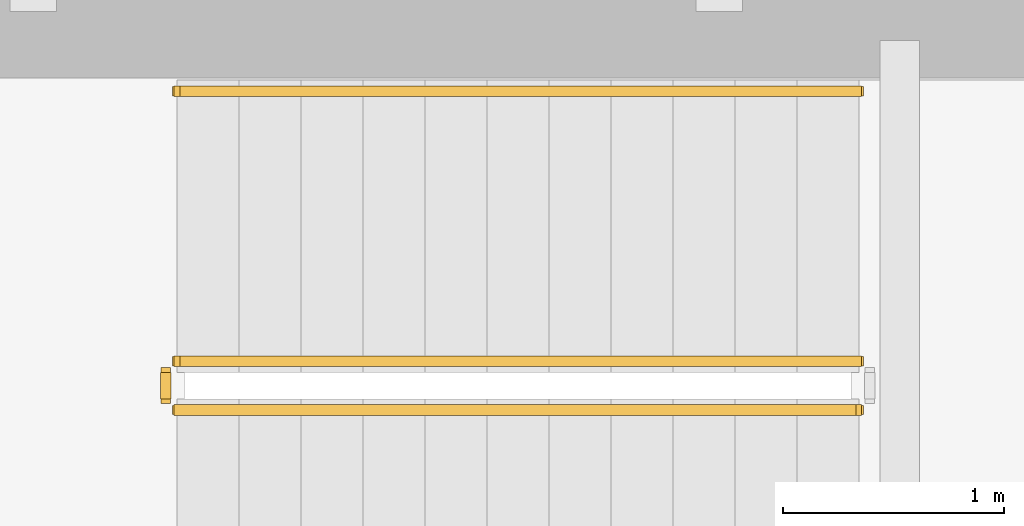
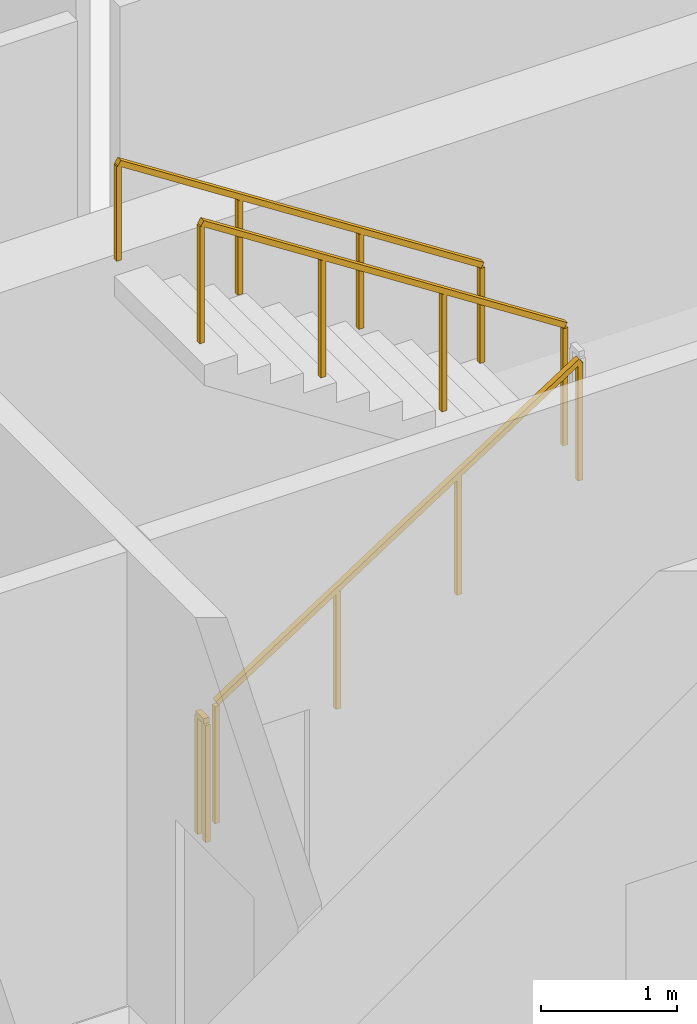
# One storey, part 36 of 38: 4 railings.
"""IFC4 building model written with IfcOpenShell, lengths in metres."""

from ifc_helpers import new_model, si_unit, direction, frame, origin, origin_2d, place, context, subcontext, project, spatial, rectangle, extrude, material, type_object, element, save


model = new_model("IFC4")

# Units and contexts
model_context = context("Model", 3, precision=1e-05, world=origin(), true_north=direction((0.0, 1.0)))
body_context = subcontext(model_context, "Body", "Model", "MODEL_VIEW")
ifc_project = project(units=[si_unit("LENGTHUNIT", "METRE"), si_unit("AREAUNIT", "SQUARE_METRE"), si_unit("VOLUMEUNIT", "CUBIC_METRE"), si_unit("PLANEANGLEUNIT", "RADIAN"), si_unit("MASSUNIT", "GRAM", prefix="KILO")], contexts=[model_context])

# Site, building, storey
site_placement = place(None, origin())
site = spatial("IfcSite", under=ifc_project, at=site_placement, CompositionType="ELEMENT")
building_placement = place(site_placement, origin())
building = spatial("IfcBuilding", under=site, at=building_placement, Name="Qhalaya Broadcast Tower", CompositionType="ELEMENT")
storey_placement = place(building_placement, frame((0.0, 0.0, 53.550048828125)))
storey = spatial("IfcBuildingStorey", under=building, at=storey_placement, Name="L15", CompositionType="ELEMENT", Elevation=53.550048828125)

# Railings
ifc_material = material(Name="Powder-Coated Galvanised Steel", Category="steel")
railing_type_1 = type_object("IfcRailingType", Name="Stair Wall Handrail 900", PredefinedType="HANDRAIL", material=ifc_material)
railing_1_placement = place(storey_placement, frame((6.830078125, 9.590087890625, 2.356201171875)))
element("IfcRailing", 1, at=railing_1_placement, inside=storey, type_object=railing_type_1, Name="L15 ST-1 Stair Handrail 2", PredefinedType="HANDRAIL", context=body_context, shape_type="SweptSolid", body=[
    extrude(rectangle(XDim=0.048095703125, YDim=0.048095703125, at=origin_2d()), frame((0.0, 0.0, 0.8759765625), z_axis=(-0.839488025565, 0.0, 0.543378187759), x_axis=(0.0, -1.0, 0.0)), (0.0, 0.0, 1.0), 3.6689453125),
    extrude(rectangle(XDim=0.0419921875, YDim=0.0419921875, at=origin_2d()), origin(), (0.0, 0.0, 1.0), 0.849853515625),
    extrude(rectangle(XDim=0.0419921875, YDim=0.0419921875, at=origin_2d()), frame((-1.026611328125, 0.0, 0.66455078125)), (0.0, 0.0, 1.0), 0.849853515625),
    extrude(rectangle(XDim=0.0419921875, YDim=0.0419921875, at=origin_2d()), frame((-2.053466796875, 0.0, 1.3291015625)), (0.0, 0.0, 1.0), 0.849853515625),
    extrude(rectangle(XDim=0.0419921875, YDim=0.0419921875, at=origin_2d()), frame((-3.080078125, 0.0, 1.99365234375)), (0.0, 0.0, 1.0), 0.849853515625),
])
railing_type_2 = type_object("IfcRailingType", Name="Stair Well & Landing Guardrail 1100", PredefinedType="GUARDRAIL", material=ifc_material)
railing_2_placement = place(storey_placement, frame((3.75, 8.14990234375, 0.18115234375)))
element("IfcRailing", 2, at=railing_2_placement, inside=storey, type_object=railing_type_2, Name="L15 ST-1 Stair Guard 1", PredefinedType="GUARDRAIL", context=body_context, shape_type="SweptSolid", body=[
    extrude(rectangle(XDim=0.048095703125, YDim=0.048095703125, at=origin_2d()), frame((0.0, 0.0, 1.076171875), z_axis=(0.8394576718, 0.0, 0.543425079708), x_axis=(0.0, 1.0, 0.0)), (0.0, 0.0, 1.0), 3.669189453125),
    extrude(rectangle(XDim=0.0419921875, YDim=0.0419921875, at=origin_2d()), origin(), (0.0, 0.0, 1.0), 1.050048828125),
    extrude(rectangle(XDim=0.0419921875, YDim=0.0419921875, at=origin_2d()), frame((1.026611328125, 0.0, 0.66455078125)), (0.0, 0.0, 1.0), 1.050048828125),
    extrude(rectangle(XDim=0.0419921875, YDim=0.0419921875, at=origin_2d()), frame((2.053466796875, 0.0, 1.329345703125)), (0.0, 0.0, 1.0), 1.050048828125),
    extrude(rectangle(XDim=0.0419921875, YDim=0.0419921875, at=origin_2d()), frame((3.080078125, 0.0, 1.993896484375)), (0.0, 0.0, 1.0), 1.050048828125),
])
railing_3_placement = place(storey_placement, frame((6.830078125, 8.3701171875, 2.356201171875)))
element("IfcRailing", 3, at=railing_3_placement, inside=storey, type_object=railing_type_2, Name="L15 ST-1 Stair Guard 3", PredefinedType="GUARDRAIL", context=body_context, shape_type="SweptSolid", body=[
    extrude(rectangle(XDim=0.048095703125, YDim=0.048095703125, at=origin_2d()), frame((0.0, 0.0, 1.076171875), z_axis=(-0.839488025565, 0.0, 0.543378187759), x_axis=(0.0, -1.0, 0.0)), (0.0, 0.0, 1.0), 3.6689453125),
    extrude(rectangle(XDim=0.0419921875, YDim=0.0419921875, at=origin_2d()), origin(), (0.0, 0.0, 1.0), 1.050048828125),
    extrude(rectangle(XDim=0.0419921875, YDim=0.0419921875, at=origin_2d()), frame((-1.026611328125, 0.0, 0.66455078125)), (0.0, 0.0, 1.0), 1.050048828125),
    extrude(rectangle(XDim=0.0419921875, YDim=0.0419921875, at=origin_2d()), frame((-2.053466796875, 0.0, 1.3291015625)), (0.0, 0.0, 1.0), 1.050048828125),
    extrude(rectangle(XDim=0.0419921875, YDim=0.0419921875, at=origin_2d()), frame((-3.080078125, 0.0, 1.99365234375)), (0.0, 0.0, 1.0), 1.050048828125),
])
railing_4_placement = place(storey_placement, frame((3.699951171875, 8.199951171875, 0.0)))
element("IfcRailing", 4, at=railing_4_placement, inside=storey, type_object=railing_type_2, Name="L15 ST-1 Stair Guard 4", PredefinedType="GUARDRAIL", context=body_context, shape_type="SweptSolid", body=[
    extrude(rectangle(XDim=0.048095703125, YDim=0.048095703125, at=origin_2d()), frame((0.0, 0.0, 1.076171875), z_axis=(0.0, 1.0, 0.0), x_axis=(-1.0, 0.0, 0.0)), (0.0, 0.0, 1.0), 0.1201171875),
    extrude(rectangle(XDim=0.0419921875, YDim=0.0419921875, at=origin_2d()), origin(), (0.0, 0.0, 1.0), 1.050048828125),
    extrude(rectangle(XDim=0.0419921875, YDim=0.0419921875, at=origin_2d()), frame((0.0, 0.1201171875, 0.0)), (0.0, 0.0, 1.0), 1.050048828125),
])

save(model, "model.ifc")
